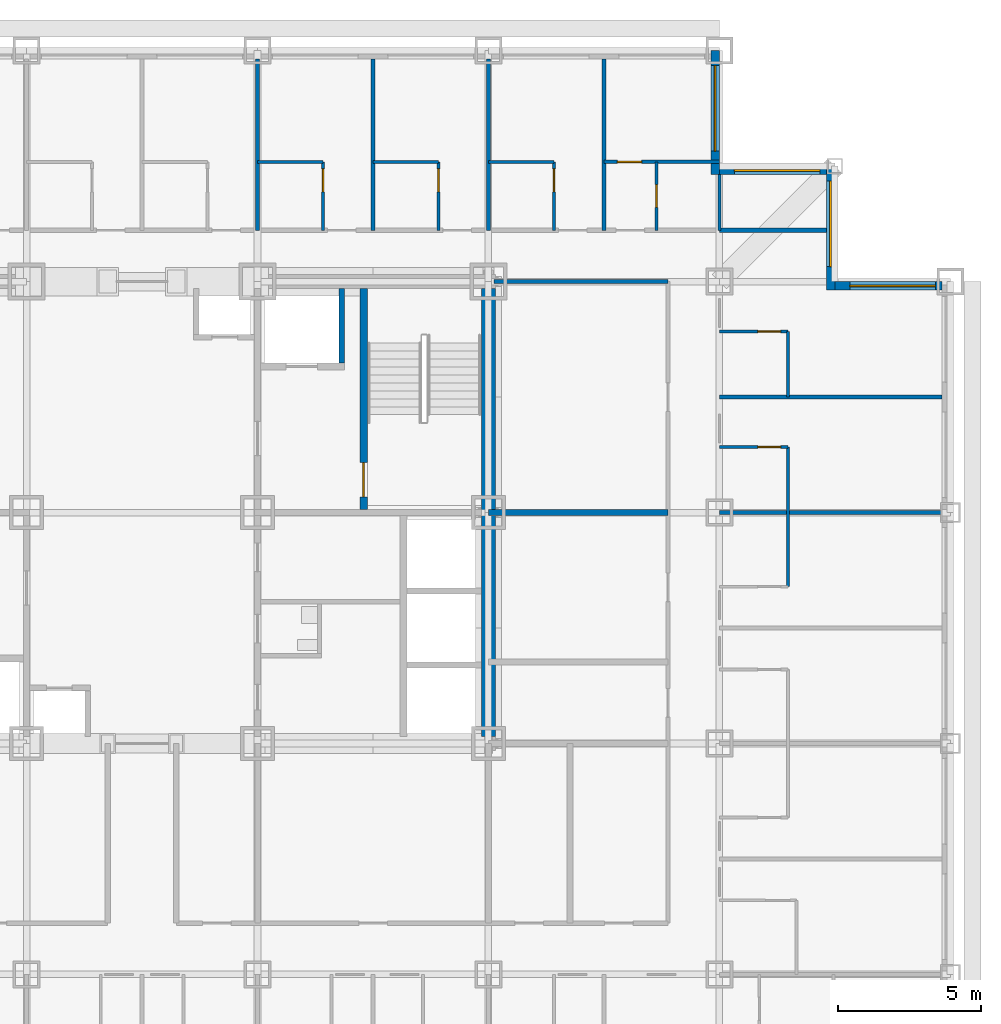
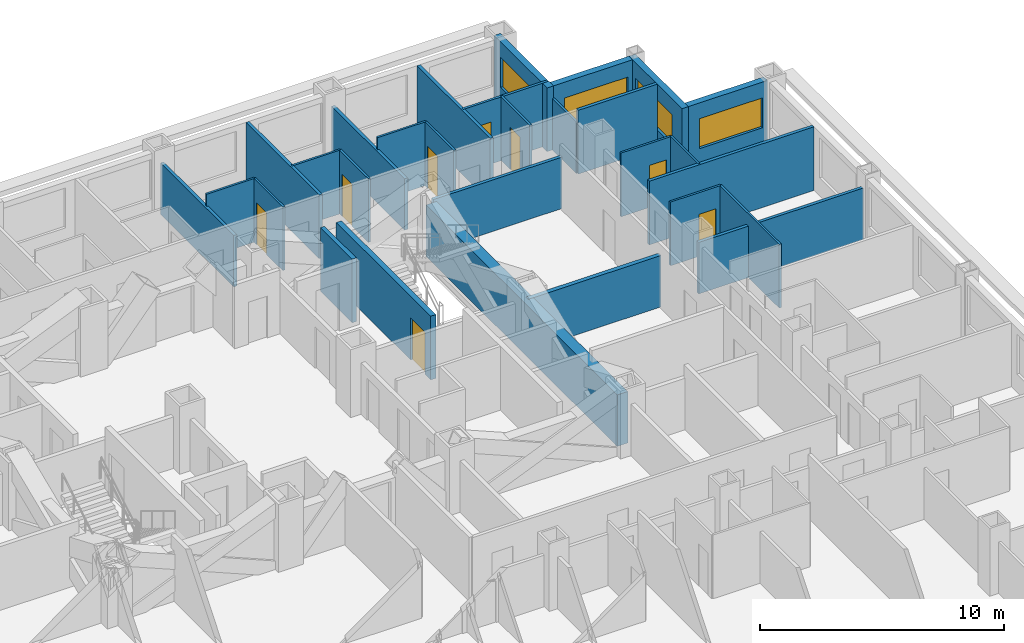
# One storey, part 10 of 13: 29 walls, 8 doors, 4 windows, 12 openings.
"""IFC4 building model written with IfcOpenShell, lengths in metres."""

from ifc_helpers import new_model, si_unit, direction, frame, frame_2d, origin, place, context, subcontext, project, spatial, rectangle, extrude, material, layer, layer_set, type_object, element, fill, save


model = new_model("IFC4")

# Units and contexts
model_context = context("Model", 3, precision=1e-05, world=origin(), true_north=direction((0.0, 1.0)))
body_context = subcontext(model_context, "Body", "Model", "MODEL_VIEW")
ifc_project = project(units=[si_unit("LENGTHUNIT", "METRE"), si_unit("AREAUNIT", "SQUARE_METRE"), si_unit("VOLUMEUNIT", "CUBIC_METRE"), si_unit("PLANEANGLEUNIT", "RADIAN"), si_unit("MASSUNIT", "GRAM", prefix="KILO")], contexts=[model_context])

# Site, building, storey
site_placement = place(None, origin())
site = spatial("IfcSite", under=ifc_project, at=site_placement, CompositionType="ELEMENT")
building_placement = place(site_placement, origin())
building = spatial("IfcBuilding", under=site, at=building_placement, Name="Kopane Lantern Tower", CompositionType="ELEMENT")
storey_placement = place(building_placement, frame((0.0, 0.0, 50.0)))
storey = spatial("IfcBuildingStorey", under=building, at=storey_placement, Name="L11", CompositionType="ELEMENT", Elevation=50.0)

# Wall, opening, door
ifc_material_1 = material(Name="Gypsum board on steel studs", Category="steel")
ifc_layer_1 = layer(ifc_material_1, 0.1201171875)
ifc_layer_set_1 = layer_set([ifc_layer_1], Name="APARTMENT INTERNAL WALL 120")
wall_type_1 = type_object("IfcWallType", Name="APARTMENT INTERNAL WALL 120", PredefinedType="PARTITIONING", material=ifc_layer_set_1)
wall_1_placement = place(storey_placement, frame((44.550048828125, 44.699951171875, 0.0), z_axis=(0.0, 0.0, 1.0), x_axis=(1.0, 0.0, 0.0)))
wall_1 = element("IfcWall", 1, at=wall_1_placement, inside=storey, type_object=wall_type_1, Name="Apartment Internal Wall 120 L11", PredefinedType="PARTITIONING", context=body_context, shape_type="SweptSolid", body=[
    extrude(rectangle(XDim=4.050048828125, YDim=0.1201171875, at=frame_2d((2.02490234375, 0.0))), origin(), (0.0, 0.0, 1.0), 3.18994140625),
])
opening_1_placement = place(wall_1_placement, frame((0.47509765625, 0.0, 0.0)))
opening_1 = element("IfcOpeningElement", 2, at=opening_1_placement, cuts=wall_1, Name="Opening L11-085", PredefinedType="OPENING", context=body_context, shape_type="SweptSolid", body=[
    extrude(rectangle(XDim=0.85009765625, YDim=2.10009765625, at=frame_2d((0.425048828125, 1.050048828125))), frame((0.0, 0.070068359375, 0.0), z_axis=(0.0, -1.0, 0.0), x_axis=(1.0, 0.0, 0.0)), (0.0, 0.0, 1.0), 0.14013671875),
])
ifc_material_2 = material(Name="Timber door set", Category="wood")
door_type_1 = type_object("IfcDoorType", Name="DOOR D4 850x2100", OperationType="SINGLE_SWING_LEFT", PredefinedType="DOOR", material=ifc_material_2)
door_1_placement = place(opening_1_placement, origin())
door_1 = element("IfcDoor", 3, at=door_1_placement, inside=storey, type_object=door_type_1, Name="Door L11-085", OperationType="SINGLE_SWING_LEFT", OverallHeight=2.10009765625, OverallWidth=0.85009765625, PredefinedType="DOOR", context=body_context, shape_type="SweptSolid", body=[
    extrude(rectangle(XDim=0.85009765625, YDim=2.10009765625, at=frame_2d((0.425048828125, 1.050048828125))), frame((0.0, 0.02490234375, 0.0), z_axis=(0.0, -1.0, 0.0), x_axis=(1.0, 0.0, 0.0)), (0.0, 0.0, 1.0), 0.050048828125),
])
fill(opening_1, door_1)

# Wall
ifc_material_3 = material(Name="Moisture-resistant board on steel studs", Category="steel")
ifc_layer_2 = layer(ifc_material_3, 0.10009765625)
ifc_layer_set_2 = layer_set([ifc_layer_2], Name="BATHROOM WALL 100")
wall_type_2 = type_object("IfcWallType", Name="BATHROOM WALL 100", PredefinedType="PARTITIONING", material=ifc_layer_set_2)
wall_2_placement = place(storey_placement, frame((32.39990234375, 44.699951171875, 0.0), z_axis=(0.0, 0.0, 1.0), x_axis=(1.0, 0.0, 0.0)))
element("IfcWall", 4, at=wall_2_placement, inside=storey, type_object=wall_type_2, Name="Bathroom Wall 100 L11", PredefinedType="PARTITIONING", context=body_context, shape_type="SweptSolid", body=[
    extrude(rectangle(XDim=2.300048828125, YDim=0.10009765625, at=frame_2d((1.14990234375, 0.0))), origin(), (0.0, 0.0, 1.0), 3.18994140625),
])

# Wall, opening, door
wall_3_placement = place(storey_placement, frame((34.699951171875, 42.300048828125, 0.0), z_axis=(0.0, 0.0, 1.0), x_axis=(0.0, 1.0, 0.0)))
wall_3 = element("IfcWall", 5, at=wall_3_placement, inside=storey, type_object=wall_type_2, Name="Bathroom Wall 100 L11", PredefinedType="PARTITIONING", context=body_context, shape_type="SweptSolid", body=[
    extrude(rectangle(XDim=2.39990234375, YDim=0.10009765625, at=frame_2d((1.199951171875, 0.0))), origin(), (0.0, 0.0, 1.0), 3.18994140625),
])
opening_2_placement = place(wall_3_placement, frame((1.35009765625, 0.0, 0.0)))
opening_2 = element("IfcOpeningElement", 6, at=opening_2_placement, cuts=wall_3, Name="Opening L11-043", PredefinedType="OPENING", context=body_context, shape_type="SweptSolid", body=[
    extrude(rectangle(XDim=0.800048828125, YDim=2.10009765625, at=frame_2d((0.39990234375, 1.050048828125))), frame((0.0, 0.06005859375, 0.0), z_axis=(0.0, -1.0, 0.0), x_axis=(1.0, 0.0, 0.0)), (0.0, 0.0, 1.0), 0.1201171875),
])
ifc_material_4 = material(Name="Timber door set", Category="wood")
door_type_2 = type_object("IfcDoorType", Name="DOOR D2 800x2100", OperationType="SINGLE_SWING_LEFT", PredefinedType="DOOR", material=ifc_material_4)
door_2_placement = place(opening_2_placement, origin())
door_2 = element("IfcDoor", 7, at=door_2_placement, inside=storey, type_object=door_type_2, Name="Door L11-043", OperationType="SINGLE_SWING_RIGHT", OverallHeight=2.10009765625, OverallWidth=0.800048828125, PredefinedType="DOOR", context=body_context, shape_type="SweptSolid", body=[
    extrude(rectangle(XDim=0.800048828125, YDim=2.10009765625, at=frame_2d((0.39990234375, 1.050048828125))), frame((0.0, 0.02490234375, 0.0), z_axis=(0.0, -1.0, 0.0), x_axis=(1.0, 0.0, 0.0)), (0.0, 0.0, 1.0), 0.050048828125),
])
fill(opening_2, door_2)

# Wall
wall_4_placement = place(storey_placement, frame((36.449951171875, 44.699951171875, 0.0), z_axis=(0.0, 0.0, 1.0), x_axis=(1.0, 0.0, 0.0)))
element("IfcWall", 8, at=wall_4_placement, inside=storey, type_object=wall_type_2, Name="Bathroom Wall 100 L11", PredefinedType="PARTITIONING", context=body_context, shape_type="SweptSolid", body=[
    extrude(rectangle(XDim=2.300048828125, YDim=0.10009765625, at=frame_2d((1.14990234375, 0.0))), origin(), (0.0, 0.0, 1.0), 3.18994140625),
])

# Wall, opening, door
wall_5_placement = place(storey_placement, frame((38.75, 42.300048828125, 0.0), z_axis=(0.0, 0.0, 1.0), x_axis=(0.0, 1.0, 0.0)))
wall_5 = element("IfcWall", 9, at=wall_5_placement, inside=storey, type_object=wall_type_2, Name="Bathroom Wall 100 L11", PredefinedType="PARTITIONING", context=body_context, shape_type="SweptSolid", body=[
    extrude(rectangle(XDim=2.39990234375, YDim=0.10009765625, at=frame_2d((1.199951171875, 0.0))), origin(), (0.0, 0.0, 1.0), 3.18994140625),
])
opening_3_placement = place(wall_5_placement, frame((1.35009765625, 0.0, 0.0)))
opening_3 = element("IfcOpeningElement", 10, at=opening_3_placement, cuts=wall_5, Name="Opening L11-045", PredefinedType="OPENING", context=body_context, shape_type="SweptSolid", body=[
    extrude(rectangle(XDim=0.800048828125, YDim=2.10009765625, at=frame_2d((0.39990234375, 1.050048828125))), frame((0.0, 0.06005859375, 0.0), z_axis=(0.0, -1.0, 0.0), x_axis=(1.0, 0.0, 0.0)), (0.0, 0.0, 1.0), 0.1201171875),
])
door_3_placement = place(opening_3_placement, origin())
door_3 = element("IfcDoor", 11, at=door_3_placement, inside=storey, type_object=door_type_2, Name="Door L11-045", OperationType="SINGLE_SWING_RIGHT", OverallHeight=2.10009765625, OverallWidth=0.800048828125, PredefinedType="DOOR", context=body_context, shape_type="SweptSolid", body=[
    extrude(rectangle(XDim=0.800048828125, YDim=2.10009765625, at=frame_2d((0.39990234375, 1.050048828125))), frame((0.0, 0.02490234375, 0.0), z_axis=(0.0, -1.0, 0.0), x_axis=(1.0, 0.0, 0.0)), (0.0, 0.0, 1.0), 0.050048828125),
])
fill(opening_3, door_3)

# Wall
wall_6_placement = place(storey_placement, frame((40.5, 44.699951171875, 0.0), z_axis=(0.0, 0.0, 1.0), x_axis=(1.0, 0.0, 0.0)))
element("IfcWall", 12, at=wall_6_placement, inside=storey, type_object=wall_type_2, Name="Bathroom Wall 100 L11", PredefinedType="PARTITIONING", context=body_context, shape_type="SweptSolid", body=[
    extrude(rectangle(XDim=2.300048828125, YDim=0.10009765625, at=frame_2d((1.14990234375, 0.0))), origin(), (0.0, 0.0, 1.0), 3.18994140625),
])

# Wall, opening, door
wall_7_placement = place(storey_placement, frame((42.800048828125, 42.300048828125, 0.0), z_axis=(0.0, 0.0, 1.0), x_axis=(0.0, 1.0, 0.0)))
wall_7 = element("IfcWall", 13, at=wall_7_placement, inside=storey, type_object=wall_type_2, Name="Bathroom Wall 100 L11", PredefinedType="PARTITIONING", context=body_context, shape_type="SweptSolid", body=[
    extrude(rectangle(XDim=2.39990234375, YDim=0.10009765625, at=frame_2d((1.199951171875, 0.0))), origin(), (0.0, 0.0, 1.0), 3.18994140625),
])
opening_4_placement = place(wall_7_placement, frame((1.35009765625, 0.0, 0.0)))
opening_4 = element("IfcOpeningElement", 14, at=opening_4_placement, cuts=wall_7, Name="Opening L11-047", PredefinedType="OPENING", context=body_context, shape_type="SweptSolid", body=[
    extrude(rectangle(XDim=0.800048828125, YDim=2.10009765625, at=frame_2d((0.39990234375, 1.050048828125))), frame((0.0, 0.06005859375, 0.0), z_axis=(0.0, -1.0, 0.0), x_axis=(1.0, 0.0, 0.0)), (0.0, 0.0, 1.0), 0.1201171875),
])
door_4_placement = place(opening_4_placement, origin())
door_4 = element("IfcDoor", 15, at=door_4_placement, inside=storey, type_object=door_type_2, Name="Door L11-047", OperationType="SINGLE_SWING_RIGHT", OverallHeight=2.10009765625, OverallWidth=0.800048828125, PredefinedType="DOOR", context=body_context, shape_type="SweptSolid", body=[
    extrude(rectangle(XDim=0.800048828125, YDim=2.10009765625, at=frame_2d((0.39990234375, 1.050048828125))), frame((0.0, 0.02490234375, 0.0), z_axis=(0.0, -1.0, 0.0), x_axis=(1.0, 0.0, 0.0)), (0.0, 0.0, 1.0), 0.050048828125),
])
fill(opening_4, door_4)

# Wall
wall_8_placement = place(storey_placement, frame((51.0, 29.800048828125, 0.0), z_axis=(0.0, 0.0, 1.0), x_axis=(0.0, 1.0, 0.0)))
element("IfcWall", 16, at=wall_8_placement, inside=storey, type_object=wall_type_2, Name="Bathroom Wall 100 L11", PredefinedType="PARTITIONING", context=body_context, shape_type="SweptSolid", body=[
    extrude(rectangle(XDim=4.89990234375, YDim=0.10009765625, at=frame_2d((2.449951171875, 0.0))), origin(), (0.0, 0.0, 1.0), 3.18994140625),
])

# Wall, opening, door
wall_9_placement = place(storey_placement, frame((48.60009765625, 34.699951171875, 0.0), z_axis=(0.0, 0.0, 1.0), x_axis=(1.0, 0.0, 0.0)))
wall_9 = element("IfcWall", 17, at=wall_9_placement, inside=storey, type_object=wall_type_2, Name="Bathroom Wall 100 L11", PredefinedType="PARTITIONING", context=body_context, shape_type="SweptSolid", body=[
    extrude(rectangle(XDim=2.39990234375, YDim=0.10009765625, at=frame_2d((1.199951171875, 0.0))), origin(), (0.0, 0.0, 1.0), 3.18994140625),
])
opening_5_placement = place(wall_9_placement, frame((1.35009765625, 0.0, 0.0)))
opening_5 = element("IfcOpeningElement", 18, at=opening_5_placement, cuts=wall_9, Name="Opening L11-069", PredefinedType="OPENING", context=body_context, shape_type="SweptSolid", body=[
    extrude(rectangle(XDim=0.800048828125, YDim=2.10009765625, at=frame_2d((0.39990234375, 1.050048828125))), frame((0.0, 0.06005859375, 0.0), z_axis=(0.0, -1.0, 0.0), x_axis=(1.0, 0.0, 0.0)), (0.0, 0.0, 1.0), 0.1201171875),
])
door_5_placement = place(opening_5_placement, origin())
door_5 = element("IfcDoor", 19, at=door_5_placement, inside=storey, type_object=door_type_2, Name="Door L11-069", OperationType="SINGLE_SWING_LEFT", OverallHeight=2.10009765625, OverallWidth=0.800048828125, PredefinedType="DOOR", context=body_context, shape_type="SweptSolid", body=[
    extrude(rectangle(XDim=0.800048828125, YDim=2.10009765625, at=frame_2d((0.39990234375, 1.050048828125))), frame((0.0, 0.02490234375, 0.0), z_axis=(0.0, -1.0, 0.0), x_axis=(1.0, 0.0, 0.0)), (0.0, 0.0, 1.0), 0.050048828125),
])
fill(opening_5, door_5)

# Wall
wall_10_placement = place(storey_placement, frame((51.0, 36.449951171875, 0.0), z_axis=(0.0, 0.0, 1.0), x_axis=(0.0, 1.0, 0.0)))
element("IfcWall", 20, at=wall_10_placement, inside=storey, type_object=wall_type_2, Name="Bathroom Wall 100 L11", PredefinedType="PARTITIONING", context=body_context, shape_type="SweptSolid", body=[
    extrude(rectangle(XDim=2.300048828125, YDim=0.10009765625, at=frame_2d((1.14990234375, 0.0))), origin(), (0.0, 0.0, 1.0), 3.18994140625),
])

# Wall, opening, door
wall_11_placement = place(storey_placement, frame((48.60009765625, 38.75, 0.0), z_axis=(0.0, 0.0, 1.0), x_axis=(1.0, 0.0, 0.0)))
wall_11 = element("IfcWall", 21, at=wall_11_placement, inside=storey, type_object=wall_type_2, Name="Bathroom Wall 100 L11", PredefinedType="PARTITIONING", context=body_context, shape_type="SweptSolid", body=[
    extrude(rectangle(XDim=2.39990234375, YDim=0.10009765625, at=frame_2d((1.199951171875, 0.0))), origin(), (0.0, 0.0, 1.0), 3.18994140625),
])
opening_6_placement = place(wall_11_placement, frame((1.35009765625, 0.0, 0.0)))
opening_6 = element("IfcOpeningElement", 22, at=opening_6_placement, cuts=wall_11, Name="Opening L11-071", PredefinedType="OPENING", context=body_context, shape_type="SweptSolid", body=[
    extrude(rectangle(XDim=0.800048828125, YDim=2.10009765625, at=frame_2d((0.39990234375, 1.050048828125))), frame((0.0, 0.06005859375, 0.0), z_axis=(0.0, -1.0, 0.0), x_axis=(1.0, 0.0, 0.0)), (0.0, 0.0, 1.0), 0.1201171875),
])
door_6_placement = place(opening_6_placement, origin())
door_6 = element("IfcDoor", 23, at=door_6_placement, inside=storey, type_object=door_type_2, Name="Door L11-071", OperationType="SINGLE_SWING_LEFT", OverallHeight=2.10009765625, OverallWidth=0.800048828125, PredefinedType="DOOR", context=body_context, shape_type="SweptSolid", body=[
    extrude(rectangle(XDim=0.800048828125, YDim=2.10009765625, at=frame_2d((0.39990234375, 1.050048828125))), frame((0.0, 0.02490234375, 0.0), z_axis=(0.0, -1.0, 0.0), x_axis=(1.0, 0.0, 0.0)), (0.0, 0.0, 1.0), 0.050048828125),
])
fill(opening_6, door_6)

wall_12_placement = place(storey_placement, frame((46.39990234375, 42.300048828125, 0.0), z_axis=(0.0, 0.0, 1.0), x_axis=(0.0, 1.0, 0.0)))
wall_12 = element("IfcWall", 24, at=wall_12_placement, inside=storey, type_object=wall_type_2, Name="Bathroom Wall 100 L11", PredefinedType="PARTITIONING", context=body_context, shape_type="SweptSolid", body=[
    extrude(rectangle(XDim=2.39990234375, YDim=0.10009765625, at=frame_2d((1.199951171875, 0.0))), origin(), (0.0, 0.0, 1.0), 3.18994140625),
])
opening_7_placement = place(wall_12_placement, frame((0.800048828125, 0.0, 0.0)))
opening_7 = element("IfcOpeningElement", 25, at=opening_7_placement, cuts=wall_12, Name="Opening L11-083", PredefinedType="OPENING", context=body_context, shape_type="SweptSolid", body=[
    extrude(rectangle(XDim=0.800048828125, YDim=2.10009765625, at=frame_2d((0.39990234375, 1.050048828125))), frame((0.0, 0.06005859375, 0.0), z_axis=(0.0, -1.0, 0.0), x_axis=(1.0, 0.0, 0.0)), (0.0, 0.0, 1.0), 0.1201171875),
])
door_7_placement = place(opening_7_placement, origin())
door_7 = element("IfcDoor", 26, at=door_7_placement, inside=storey, type_object=door_type_2, Name="Door L11-083", OperationType="SINGLE_SWING_RIGHT", OverallHeight=2.10009765625, OverallWidth=0.800048828125, PredefinedType="DOOR", context=body_context, shape_type="SweptSolid", body=[
    extrude(rectangle(XDim=0.800048828125, YDim=2.10009765625, at=frame_2d((0.39990234375, 1.050048828125))), frame((0.0, 0.02490234375, 0.0), z_axis=(0.0, -1.0, 0.0), x_axis=(1.0, 0.0, 0.0)), (0.0, 0.0, 1.0), 0.050048828125),
])
fill(opening_7, door_7)

# Walls
wall_13_placement = place(storey_placement, frame((48.60009765625, 42.300048828125, 0.0), z_axis=(0.0, 0.0, 1.0), x_axis=(0.0, 1.0, 0.0)))
element("IfcWall", 27, at=wall_13_placement, inside=storey, type_object=wall_type_2, Name="Bathroom Wall 100 L11", PredefinedType="PARTITIONING", context=body_context, shape_type="SweptSolid", body=[
    extrude(rectangle(XDim=1.949951171875, YDim=0.10009765625, at=frame_2d((0.97509765625, 0.0))), origin(), (0.0, 0.0, 1.0), 2.577880859375),
])
ifc_material_5 = material(Name="Gypsum shaft wall EI 120", Category="gypsum")
ifc_layer_3 = layer(ifc_material_5, 0.5)
ifc_layer_set_3 = layer_set([ifc_layer_3], Name="CORE PERIMETER WALL 500 EI 120")
wall_type_3 = type_object("IfcWallType", Name="CORE PERIMETER WALL 500 EI 120", PredefinedType="SOLIDWALL", material=ifc_layer_set_3)
wall_14_placement = place(storey_placement, frame((40.5, 24.550048828125, 0.0), z_axis=(0.0, 0.0, 1.0), x_axis=(0.0, 1.0, 0.0)))
element("IfcWall", 28, at=wall_14_placement, inside=storey, type_object=wall_type_3, Name="Core shaft wall L11 PE", PredefinedType="SOLIDWALL", context=body_context, shape_type="SweptSolid", body=[
    extrude(rectangle(XDim=15.699951171875, YDim=0.5, at=frame_2d((7.85009765625, 0.0))), origin(), (0.0, 0.0, 1.0), 2.577880859375),
])

# Wall, opening, door
ifc_material_6 = material(Name="Gypsum shaft wall EI 120", Category="gypsum")
ifc_layer_4 = layer(ifc_material_6, 0.25)
ifc_layer_set_4 = layer_set([ifc_layer_4], Name="CORE SHAFT WALL 250 EI 120")
wall_type_4 = type_object("IfcWallType", Name="CORE SHAFT WALL 250 EI 120", PredefinedType="SOLIDWALL", material=ifc_layer_set_4)
wall_15_placement = place(storey_placement, frame((36.125, 32.5, 0.0), z_axis=(0.0, 0.0, 1.0), x_axis=(0.0, 1.0, 0.0)))
wall_15 = element("IfcWall", 29, at=wall_15_placement, inside=storey, type_object=wall_type_4, Name="Core shaft wall L11 XST2", PredefinedType="SOLIDWALL", context=body_context, shape_type="SweptSolid", body=[
    extrude(rectangle(XDim=7.75, YDim=0.25, at=frame_2d((3.875, 0.0))), origin(), (0.0, 0.0, 1.0), 3.18994140625),
])
opening_8_placement = place(wall_15_placement, frame((0.449951171875, 0.0, 0.0)))
opening_8 = element("IfcOpeningElement", 30, at=opening_8_placement, cuts=wall_15, Name="Opening 11.SD2", PredefinedType="OPENING", context=body_context, shape_type="SweptSolid", body=[
    extrude(rectangle(XDim=1.199951171875, YDim=2.10009765625, at=frame_2d((0.60009765625, 1.050048828125))), frame((0.0, 0.135009765625, 0.0), z_axis=(0.0, -1.0, 0.0), x_axis=(1.0, 0.0, 0.0)), (0.0, 0.0, 1.0), 0.27001953125),
])
ifc_material_7 = material(Name="Steel door set", Category="steel")
door_type_3 = type_object("IfcDoorType", Name="STAIR DOOR 1200x2100 FD60S", OperationType="SINGLE_SWING_LEFT", PredefinedType="DOOR", material=ifc_material_7)
door_8_placement = place(opening_8_placement, origin())
door_8 = element("IfcDoor", 31, at=door_8_placement, inside=storey, type_object=door_type_3, Name="Stair door ST2 L11", OperationType="SINGLE_SWING_RIGHT", OverallHeight=2.10009765625, OverallWidth=1.199951171875, PredefinedType="DOOR", context=body_context, shape_type="SweptSolid", body=[
    extrude(rectangle(XDim=1.199951171875, YDim=2.10009765625, at=frame_2d((0.60009765625, 1.050048828125))), frame((0.0, 0.02490234375, 0.0), z_axis=(0.0, -1.0, 0.0), x_axis=(1.0, 0.0, 0.0)), (0.0, 0.0, 1.0), 0.050048828125),
])
fill(opening_8, door_8)

# Walls
ifc_material_8 = material(Name="Gypsum board on steel studs", Category="steel")
ifc_layer_5 = layer(ifc_material_8, 0.14990234375)
ifc_layer_set_5 = layer_set([ifc_layer_5], Name="CORRIDOR WALL 150 EI 60")
wall_type_5 = type_object("IfcWallType", Name="CORRIDOR WALL 150 EI 60", PredefinedType="PARTITIONING", material=ifc_layer_set_5)
wall_16_placement = place(storey_placement, frame((46.800048828125, 40.5, 0.0), z_axis=(0.0, 0.0, 1.0), x_axis=(-1.0, 0.0, 0.0)))
element("IfcWall", 32, at=wall_16_placement, inside=storey, type_object=wall_type_5, Name="Corridor Wall 150 Ei 60 L11", PredefinedType="PARTITIONING", context=body_context, shape_type="SweptSolid", body=[
    extrude(rectangle(XDim=6.10009765625, YDim=0.14990234375, at=frame_2d((3.050048828125, 0.0))), origin(), (0.0, 0.0, 1.0), 2.577880859375),
])
ifc_material_9 = material(Name="Gypsum board on steel studs", Category="steel")
ifc_layer_6 = layer(ifc_material_9, 0.14990234375)
ifc_layer_set_6 = layer_set([ifc_layer_6], Name="DEMISING WALL 150 EI 60")
wall_type_6 = type_object("IfcWallType", Name="DEMISING WALL 150 EI 60", PredefinedType="PARTITIONING", material=ifc_layer_set_6)
wall_17_placement = place(storey_placement, frame((32.39990234375, 42.300048828125, 0.0), z_axis=(0.0, 0.0, 1.0), x_axis=(0.0, 1.0, 0.0)))
element("IfcWall", 33, at=wall_17_placement, inside=storey, type_object=wall_type_6, Name="Demising Wall 150 Ei 60 L11", PredefinedType="PARTITIONING", context=body_context, shape_type="SweptSolid", body=[
    extrude(rectangle(XDim=6.0, YDim=0.14990234375, at=frame_2d((3.0, 0.0))), origin(), (0.0, 0.0, 1.0), 2.577880859375),
])
wall_18_placement = place(storey_placement, frame((36.449951171875, 42.300048828125, 0.0), z_axis=(0.0, 0.0, 1.0), x_axis=(0.0, 1.0, 0.0)))
element("IfcWall", 34, at=wall_18_placement, inside=storey, type_object=wall_type_6, Name="Demising Wall 150 Ei 60 L11", PredefinedType="PARTITIONING", context=body_context, shape_type="SweptSolid", body=[
    extrude(rectangle(XDim=6.0, YDim=0.14990234375, at=frame_2d((3.0, 0.0))), origin(), (0.0, 0.0, 1.0), 3.18994140625),
])
wall_19_placement = place(storey_placement, frame((40.5, 42.300048828125, 0.0), z_axis=(0.0, 0.0, 1.0), x_axis=(0.0, 1.0, 0.0)))
element("IfcWall", 35, at=wall_19_placement, inside=storey, type_object=wall_type_6, Name="Demising Wall 150 Ei 60 L11", PredefinedType="PARTITIONING", context=body_context, shape_type="SweptSolid", body=[
    extrude(rectangle(XDim=6.0, YDim=0.14990234375, at=frame_2d((3.0, 0.0))), origin(), (0.0, 0.0, 1.0), 2.577880859375),
])
wall_20_placement = place(storey_placement, frame((48.60009765625, 32.39990234375, 0.0), z_axis=(0.0, 0.0, 1.0), x_axis=(1.0, 0.0, 0.0)))
element("IfcWall", 36, at=wall_20_placement, inside=storey, type_object=wall_type_6, Name="Demising Wall 150 Ei 60 L11", PredefinedType="PARTITIONING", context=body_context, shape_type="SweptSolid", body=[
    extrude(rectangle(XDim=7.7998046875, YDim=0.14990234375, at=frame_2d((3.89990234375, 0.0))), origin(), (0.0, 0.0, 1.0), 2.577880859375),
])
wall_21_placement = place(storey_placement, frame((48.60009765625, 36.449951171875, 0.0), z_axis=(0.0, 0.0, 1.0), x_axis=(1.0, 0.0, 0.0)))
element("IfcWall", 37, at=wall_21_placement, inside=storey, type_object=wall_type_6, Name="Demising Wall 150 Ei 60 L11", PredefinedType="PARTITIONING", context=body_context, shape_type="SweptSolid", body=[
    extrude(rectangle(XDim=7.7998046875, YDim=0.14990234375, at=frame_2d((3.89990234375, 0.0))), origin(), (0.0, 0.0, 1.0), 3.18994140625),
])
wall_22_placement = place(storey_placement, frame((48.60009765625, 42.300048828125, 0.0), z_axis=(0.0, 0.0, 1.0), x_axis=(1.0, 0.0, 0.0)))
element("IfcWall", 38, at=wall_22_placement, inside=storey, type_object=wall_type_6, Name="Demising Wall 150 Ei 60 L11", PredefinedType="PARTITIONING", context=body_context, shape_type="SweptSolid", body=[
    extrude(rectangle(XDim=3.75, YDim=0.14990234375, at=frame_2d((1.875, 0.0))), origin(), (0.0, 0.0, 1.0), 3.18994140625),
])
wall_23_placement = place(storey_placement, frame((44.550048828125, 42.300048828125, 0.0), z_axis=(0.0, 0.0, 1.0), x_axis=(0.0, 1.0, 0.0)))
element("IfcWall", 39, at=wall_23_placement, inside=storey, type_object=wall_type_6, Name="Demising Wall 150 Ei 60 L11", PredefinedType="PARTITIONING", context=body_context, shape_type="SweptSolid", body=[
    extrude(rectangle(XDim=6.0, YDim=0.14990234375, at=frame_2d((3.0, 0.0))), origin(), (0.0, 0.0, 1.0), 3.18994140625),
])

# Wall, opening, window
ifc_material_10 = material(Name="Terracotta rainscreen on light steel framing", Category="masonry")
ifc_layer_7 = layer(ifc_material_10, 0.300048828125)
ifc_layer_set_7 = layer_set([ifc_layer_7], Name="EXTERNAL WALL EW1 300 TERRACOTTA")
wall_type_7 = type_object("IfcWallType", Name="EXTERNAL WALL EW1 300 TERRACOTTA", PredefinedType="SOLIDWALL", material=ifc_layer_set_7)
wall_24_placement = place(storey_placement, frame((56.39990234375, 40.35009765625, 0.0), z_axis=(0.0, 0.0, 1.0), x_axis=(-1.0, 0.0, 0.0)))
wall_24 = element("IfcWall", 40, at=wall_24_placement, inside=storey, type_object=wall_type_7, Name="External wall N L11", PredefinedType="SOLIDWALL", context=body_context, shape_type="SweptSolid", body=[
    extrude(rectangle(XDim=3.75, YDim=0.300048828125, at=frame_2d((1.875, 0.0))), origin(), (0.0, 0.0, 1.0), 3.18994140625),
])
opening_9_placement = place(wall_24_placement, frame((0.22509765625, 0.0, 0.89990234375)))
opening_9 = element("IfcOpeningElement", 41, at=opening_9_placement, cuts=wall_24, Name="Opening WR300150", PredefinedType="OPENING", context=body_context, shape_type="SweptSolid", body=[
    extrude(rectangle(XDim=3.0, YDim=1.5, at=frame_2d((1.5, 0.75))), frame((0.0, 0.159912109375, 0.0), z_axis=(0.0, -1.0, 0.0), x_axis=(1.0, 0.0, 0.0)), (0.0, 0.0, 1.0), 0.320068359375),
])
ifc_material_11 = material(Name="Aluminium and clear glass", Category="aluminium")
window_type = type_object("IfcWindowType", Name="RIBBON WINDOW WR300150 3000x1500", PartitioningType="SINGLE_PANEL", PredefinedType="WINDOW", material=ifc_material_11)
window_1_placement = place(opening_9_placement, origin())
window_1 = element("IfcWindow", 42, at=window_1_placement, inside=storey, type_object=window_type, Name="Window N L11", OverallHeight=1.5, OverallWidth=3.0, PartitioningType="SINGLE_PANEL", PredefinedType="WINDOW", context=body_context, shape_type="SweptSolid", body=[
    extrude(rectangle(XDim=3.0, YDim=1.5, at=frame_2d((1.5, 0.75))), frame((0.0, 0.030029296875, 0.0), z_axis=(0.0, -1.0, 0.0), x_axis=(1.0, 0.0, 0.0)), (0.0, 0.0, 1.0), 0.06005859375),
])
fill(opening_9, window_1)

wall_25_placement = place(storey_placement, frame((52.5, 40.199951171875, 0.0), z_axis=(0.0, 0.0, 1.0), x_axis=(0.0, 1.0, 0.0)))
wall_25 = element("IfcWall", 43, at=wall_25_placement, inside=storey, type_object=wall_type_7, Name="External wall E L11", PredefinedType="SOLIDWALL", context=body_context, shape_type="SweptSolid", body=[
    extrude(rectangle(XDim=4.35009765625, YDim=0.300048828125, at=frame_2d((2.175048828125, 0.0))), origin(), (0.0, 0.0, 1.0), 3.18994140625),
])
opening_10_placement = place(wall_25_placement, frame((0.824951171875, 0.0, 0.89990234375)))
opening_10 = element("IfcOpeningElement", 44, at=opening_10_placement, cuts=wall_25, Name="Opening WR300150", PredefinedType="OPENING", context=body_context, shape_type="SweptSolid", body=[
    extrude(rectangle(XDim=3.0, YDim=1.5, at=frame_2d((1.5, 0.75))), frame((0.0, 0.159912109375, 0.0), z_axis=(0.0, -1.0, 0.0), x_axis=(1.0, 0.0, 0.0)), (0.0, 0.0, 1.0), 0.320068359375),
])
window_2_placement = place(opening_10_placement, origin())
window_2 = element("IfcWindow", 45, at=window_2_placement, inside=storey, type_object=window_type, Name="Window E L11", OverallHeight=1.5, OverallWidth=3.0, PartitioningType="SINGLE_PANEL", PredefinedType="WINDOW", context=body_context, shape_type="SweptSolid", body=[
    extrude(rectangle(XDim=3.0, YDim=1.5, at=frame_2d((1.5, 0.75))), frame((0.0, 0.030029296875, 0.0), z_axis=(0.0, -1.0, 0.0), x_axis=(1.0, 0.0, 0.0)), (0.0, 0.0, 1.0), 0.06005859375),
])
fill(opening_10, window_2)

wall_26_placement = place(storey_placement, frame((52.35009765625, 44.39990234375, 0.0), z_axis=(0.0, 0.0, 1.0), x_axis=(-1.0, 0.0, 0.0)))
wall_26 = element("IfcWall", 46, at=wall_26_placement, inside=storey, type_object=wall_type_7, Name="External wall N L11", PredefinedType="SOLIDWALL", context=body_context, shape_type="SweptSolid", body=[
    extrude(rectangle(XDim=3.75, YDim=0.300048828125, at=frame_2d((1.875, 0.0))), origin(), (0.0, 0.0, 1.0), 3.18994140625),
])
opening_11_placement = place(wall_26_placement, frame((0.22509765625, 0.0, 0.89990234375)))
opening_11 = element("IfcOpeningElement", 47, at=opening_11_placement, cuts=wall_26, Name="Opening WR300150", PredefinedType="OPENING", context=body_context, shape_type="SweptSolid", body=[
    extrude(rectangle(XDim=3.0, YDim=1.5, at=frame_2d((1.5, 0.75))), frame((0.0, 0.159912109375, 0.0), z_axis=(0.0, -1.0, 0.0), x_axis=(1.0, 0.0, 0.0)), (0.0, 0.0, 1.0), 0.320068359375),
])
window_3_placement = place(opening_11_placement, origin())
window_3 = element("IfcWindow", 48, at=window_3_placement, inside=storey, type_object=window_type, Name="Window N L11", OverallHeight=1.5, OverallWidth=3.0, PartitioningType="SINGLE_PANEL", PredefinedType="WINDOW", context=body_context, shape_type="SweptSolid", body=[
    extrude(rectangle(XDim=3.0, YDim=1.5, at=frame_2d((1.5, 0.75))), frame((0.0, 0.030029296875, 0.0), z_axis=(0.0, -1.0, 0.0), x_axis=(1.0, 0.0, 0.0)), (0.0, 0.0, 1.0), 0.06005859375),
])
fill(opening_11, window_3)

wall_27_placement = place(storey_placement, frame((48.449951171875, 44.25, 0.0), z_axis=(0.0, 0.0, 1.0), x_axis=(0.0, 1.0, 0.0)))
wall_27 = element("IfcWall", 49, at=wall_27_placement, inside=storey, type_object=wall_type_7, Name="External wall E L11", PredefinedType="SOLIDWALL", context=body_context, shape_type="SweptSolid", body=[
    extrude(rectangle(XDim=4.35009765625, YDim=0.300048828125, at=frame_2d((2.175048828125, 0.0))), origin(), (0.0, 0.0, 1.0), 3.18994140625),
])
opening_12_placement = place(wall_27_placement, frame((0.824951171875, 0.0, 0.89990234375)))
opening_12 = element("IfcOpeningElement", 50, at=opening_12_placement, cuts=wall_27, Name="Opening WR300150", PredefinedType="OPENING", context=body_context, shape_type="SweptSolid", body=[
    extrude(rectangle(XDim=3.0, YDim=1.5, at=frame_2d((1.5, 0.75))), frame((0.0, 0.159912109375, 0.0), z_axis=(0.0, -1.0, 0.0), x_axis=(1.0, 0.0, 0.0)), (0.0, 0.0, 1.0), 0.320068359375),
])
window_4_placement = place(opening_12_placement, origin())
window_4 = element("IfcWindow", 51, at=window_4_placement, inside=storey, type_object=window_type, Name="Window E L11", OverallHeight=1.5, OverallWidth=3.0, PartitioningType="SINGLE_PANEL", PredefinedType="WINDOW", context=body_context, shape_type="SweptSolid", body=[
    extrude(rectangle(XDim=3.0, YDim=1.5, at=frame_2d((1.5, 0.75))), frame((0.0, 0.030029296875, 0.0), z_axis=(0.0, -1.0, 0.0), x_axis=(1.0, 0.0, 0.0)), (0.0, 0.0, 1.0), 0.06005859375),
])
fill(opening_12, window_4)

# Walls
ifc_material_12 = material(Name="Concrete masonry", Category="masonry")
ifc_layer_8 = layer(ifc_material_12, 0.199951171875)
ifc_layer_set_8 = layer_set([ifc_layer_8], Name="PLANT ROOM WALL 200 EI 120")
wall_type_8 = type_object("IfcWallType", Name="PLANT ROOM WALL 200 EI 120", PredefinedType="SOLIDWALL", material=ifc_layer_set_8)
wall_28_placement = place(storey_placement, frame((40.5, 32.39990234375, 0.0), z_axis=(0.0, 0.0, 1.0), x_axis=(1.0, 0.0, 0.0)))
element("IfcWall", 52, at=wall_28_placement, inside=storey, type_object=wall_type_8, Name="Plant Room Wall 200 Ei 120 L11", PredefinedType="SOLIDWALL", context=body_context, shape_type="SweptSolid", body=[
    extrude(rectangle(XDim=6.300048828125, YDim=0.199951171875, at=frame_2d((3.14990234375, 0.0))), origin(), (0.0, 0.0, 1.0), 2.577880859375),
])
ifc_material_13 = material(Name="Gypsum shaft wall EI 120", Category="gypsum")
ifc_layer_9 = layer(ifc_material_13, 0.199951171875)
ifc_layer_set_9 = layer_set([ifc_layer_9], Name="SHAFT WALL 200 EI 120")
wall_type_9 = type_object("IfcWallType", Name="SHAFT WALL 200 EI 120", PredefinedType="SOLIDWALL", material=ifc_layer_set_9)
wall_29_placement = place(storey_placement, frame((35.35009765625, 37.64990234375, 0.0), z_axis=(0.0, 0.0, 1.0), x_axis=(0.0, 1.0, 0.0)))
element("IfcWall", 53, at=wall_29_placement, inside=storey, type_object=wall_type_9, Name="Core shaft wall L11 XLF2", PredefinedType="SOLIDWALL", context=body_context, shape_type="SweptSolid", body=[
    extrude(rectangle(XDim=2.60009765625, YDim=0.199951171875, at=frame_2d((1.300048828125, 0.0))), origin(), (0.0, 0.0, 1.0), 3.18994140625),
])

save(model, "model.ifc")
